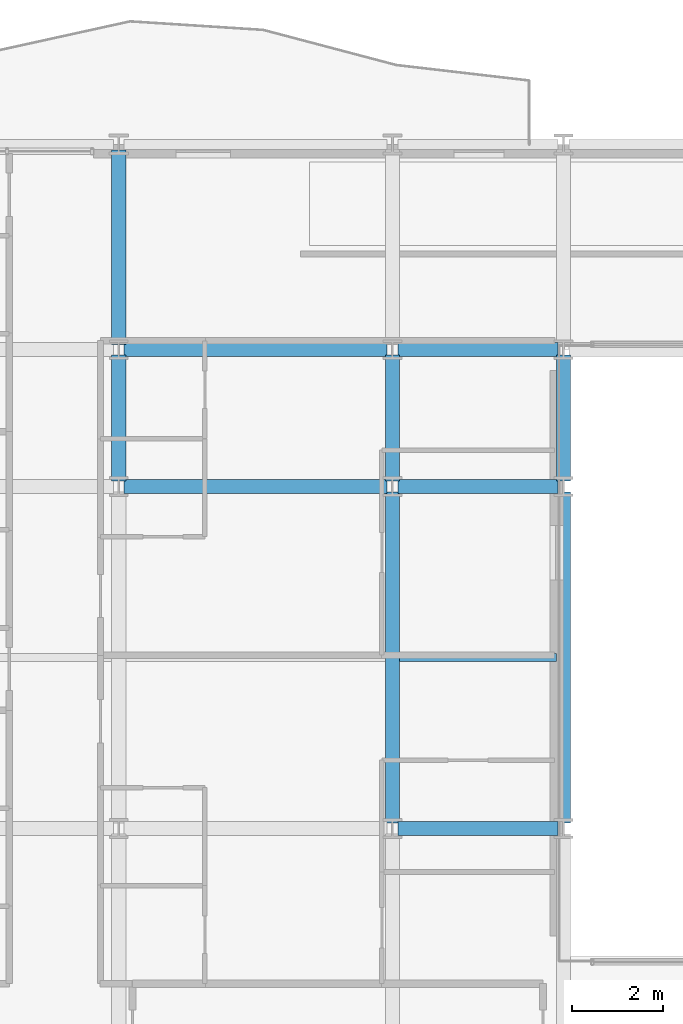
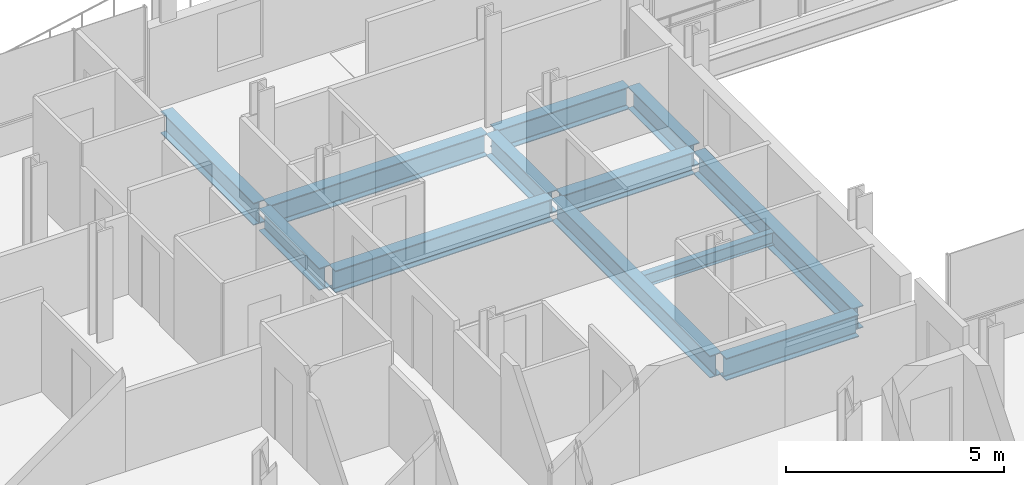
# One storey, part 8 of 41: 12 beams.
"""IFC4 building model written with IfcOpenShell, lengths in metres."""

from ifc_helpers import new_model, si_unit, direction, frame, origin, origin_2d, place, context, subcontext, project, spatial, i_section, extrude, material, material_profile, profile_set, type_object, element, save


model = new_model("IFC4")

# Units and contexts
model_context = context("Model", 3, precision=1e-05, world=origin(), true_north=direction((0.0, 1.0)))
body_context = subcontext(model_context, "Body", "Model", "MODEL_VIEW")
ifc_project = project(units=[si_unit("LENGTHUNIT", "METRE"), si_unit("AREAUNIT", "SQUARE_METRE"), si_unit("VOLUMEUNIT", "CUBIC_METRE"), si_unit("PLANEANGLEUNIT", "RADIAN"), si_unit("MASSUNIT", "GRAM", prefix="KILO")], contexts=[model_context])

# Site, building, storey
site_placement = place(None, origin())
site = spatial("IfcSite", under=ifc_project, at=site_placement, CompositionType="ELEMENT")
building_placement = place(site_placement, origin())
building = spatial("IfcBuilding", under=site, at=building_placement, Name="Brevholm Reach", CompositionType="ELEMENT")
storey_placement = place(building_placement, frame((0.0, 0.0, 86.89990234375)))
storey = spatial("IfcBuildingStorey", under=building, at=storey_placement, Name="L25", CompositionType="ELEMENT", Elevation=86.89990234375)

# Beams
ifc_material_1 = material(Name="Structural Steel S355J2", Category="steel")
ifc_material_profile_1 = material_profile(ifc_material_1, i_section(OverallWidth=0.17138671875, OverallDepth=0.35498046875, WebThickness=0.00732421875, FlangeThickness=0.011474609375, FilletRadius=0.01025390625, at=origin_2d()), Name="UKB 356x171x51")
ifc_profile_set_1 = profile_set([ifc_material_profile_1], Name="Structural Steel S355J2")
beam_type_1 = type_object("IfcBeamType", Name="BM-B356", PredefinedType="BEAM", material=ifc_profile_set_1)
beam_1_placement = place(storey_placement, frame((18.153564453125, 19.75, -0.407470703125), z_axis=(1.0, 0.0, 0.0), x_axis=(0.0, 1.0, 0.0)))
element("IfcBeam", 1, at=beam_1_placement, inside=storey, type_object=beam_type_1, Name="L25 Composite Secondary Floor Beam", PredefinedType="BEAM", context=body_context, shape_type="SweptSolid", body=[
    extrude(i_section(OverallWidth=0.17138671875, OverallDepth=0.35498046875, WebThickness=0.00732421875, FlangeThickness=0.011474609375, FilletRadius=0.01025390625, at=origin_2d()), origin(), (0.0, 0.0, 1.0), 3.44287109375),
])
ifc_material_2 = material(Name="Structural Steel S355J2", Category="steel")
ifc_material_profile_2 = material_profile(ifc_material_2, i_section(OverallWidth=0.30712890625, OverallDepth=0.6201171875, WebThickness=0.01416015625, FlangeThickness=0.023681640625, FilletRadius=0.0166015625, at=origin_2d()), Name="UKB 610x305x179")
ifc_profile_set_2 = profile_set([ifc_material_profile_2], Name="Structural Steel S355J2")
beam_type_2 = type_object("IfcBeamType", Name="BM-UKB610H", PredefinedType="USERDEFINED", material=ifc_profile_set_2)
beam_2_placement = place(storey_placement, frame((18.1201171875, 16.0, -0.5400390625), z_axis=(1.0, 0.0, 0.0), x_axis=(0.0, 1.0, 0.0)))
element("IfcBeam", 2, at=beam_2_placement, inside=storey, type_object=beam_type_2, Name="L25 G-06 Framing Beam", ObjectType="GIRDER", PredefinedType="USERDEFINED", context=body_context, shape_type="SweptSolid", body=[
    extrude(i_section(OverallWidth=0.30712890625, OverallDepth=0.6201171875, WebThickness=0.01416015625, FlangeThickness=0.023681640625, FilletRadius=0.0166015625, at=origin_2d()), origin(), (0.0, 0.0, 1.0), 3.509765625),
])
beam_3_placement = place(storey_placement, frame((12.1201171875, 23.5, -0.5400390625), z_axis=(1.0, 0.0, 0.0), x_axis=(0.0, 1.0, 0.0)))
element("IfcBeam", 3, at=beam_3_placement, inside=storey, type_object=beam_type_2, Name="L25 G-06 Framing Beam", ObjectType="GIRDER", PredefinedType="USERDEFINED", context=body_context, shape_type="SweptSolid", body=[
    extrude(i_section(OverallWidth=0.30712890625, OverallDepth=0.6201171875, WebThickness=0.01416015625, FlangeThickness=0.023681640625, FilletRadius=0.0166015625, at=origin_2d()), origin(), (0.0, 0.0, 1.0), 5.759765625),
])
beam_4_placement = place(storey_placement, frame((18.1201171875, 23.5, -0.5400390625), z_axis=(1.0, 0.0, 0.0), x_axis=(0.0, 1.0, 0.0)))
element("IfcBeam", 4, at=beam_4_placement, inside=storey, type_object=beam_type_2, Name="L25 G-06 Framing Beam", ObjectType="GIRDER", PredefinedType="USERDEFINED", context=body_context, shape_type="SweptSolid", body=[
    extrude(i_section(OverallWidth=0.30712890625, OverallDepth=0.6201171875, WebThickness=0.01416015625, FlangeThickness=0.023681640625, FilletRadius=0.0166015625, at=origin_2d()), origin(), (0.0, 0.0, 1.0), 3.509765625),
])
beam_5_placement = place(storey_placement, frame((12.1201171875, 26.5, -0.5400390625), z_axis=(1.0, 0.0, 0.0), x_axis=(0.0, 1.0, 0.0)))
element("IfcBeam", 5, at=beam_5_placement, inside=storey, type_object=beam_type_2, Name="L25 G-06 Framing Beam", ObjectType="GIRDER", PredefinedType="USERDEFINED", context=body_context, shape_type="SweptSolid", body=[
    extrude(i_section(OverallWidth=0.30712890625, OverallDepth=0.6201171875, WebThickness=0.01416015625, FlangeThickness=0.023681640625, FilletRadius=0.0166015625, at=origin_2d()), origin(), (0.0, 0.0, 1.0), 5.759765625),
])
beam_6_placement = place(storey_placement, frame((18.1201171875, 26.5, -0.5400390625), z_axis=(1.0, 0.0, 0.0), x_axis=(0.0, 1.0, 0.0)))
element("IfcBeam", 6, at=beam_6_placement, inside=storey, type_object=beam_type_2, Name="L25 G-06 Framing Beam", ObjectType="GIRDER", PredefinedType="USERDEFINED", context=body_context, shape_type="SweptSolid", body=[
    extrude(i_section(OverallWidth=0.30712890625, OverallDepth=0.6201171875, WebThickness=0.01416015625, FlangeThickness=0.023681640625, FilletRadius=0.0166015625, at=origin_2d()), origin(), (0.0, 0.0, 1.0), 3.509765625),
])
beam_7_placement = place(storey_placement, frame((12.0, 23.6201171875, -0.5400390625), z_axis=(0.0, 1.0, 0.0), x_axis=(-1.0, 0.0, 0.0)))
element("IfcBeam", 7, at=beam_7_placement, inside=storey, type_object=beam_type_2, Name="L25 G-06 Framing Beam", ObjectType="GIRDER", PredefinedType="USERDEFINED", context=body_context, shape_type="SweptSolid", body=[
    extrude(i_section(OverallWidth=0.30712890625, OverallDepth=0.6201171875, WebThickness=0.01416015625, FlangeThickness=0.023681640625, FilletRadius=0.0166015625, at=origin_2d()), origin(), (0.0, 0.0, 1.0), 2.759765625),
])
beam_8_placement = place(storey_placement, frame((12.0, 26.6201171875, -0.5400390625), z_axis=(0.0, 1.0, 0.0), x_axis=(-1.0, 0.0, 0.0)))
element("IfcBeam", 8, at=beam_8_placement, inside=storey, type_object=beam_type_2, Name="L25 G-06 Framing Beam", ObjectType="GIRDER", PredefinedType="USERDEFINED", context=body_context, shape_type="SweptSolid", body=[
    extrude(i_section(OverallWidth=0.30712890625, OverallDepth=0.6201171875, WebThickness=0.01416015625, FlangeThickness=0.023681640625, FilletRadius=0.0166015625, at=origin_2d()), origin(), (0.0, 0.0, 1.0), 4.259765625),
])
beam_9_placement = place(storey_placement, frame((18.0, 16.1201171875, -0.5400390625), z_axis=(0.0, 1.0, 0.0), x_axis=(-1.0, 0.0, 0.0)))
element("IfcBeam", 9, at=beam_9_placement, inside=storey, type_object=beam_type_2, Name="L25 G-06 Framing Beam", ObjectType="GIRDER", PredefinedType="USERDEFINED", context=body_context, shape_type="SweptSolid", body=[
    extrude(i_section(OverallWidth=0.30712890625, OverallDepth=0.6201171875, WebThickness=0.01416015625, FlangeThickness=0.023681640625, FilletRadius=0.0166015625, at=origin_2d()), origin(), (0.0, 0.0, 1.0), 7.259765625),
])
beam_10_placement = place(storey_placement, frame((18.0, 23.6201171875, -0.5400390625), z_axis=(0.0, 1.0, 0.0), x_axis=(-1.0, 0.0, 0.0)))
element("IfcBeam", 10, at=beam_10_placement, inside=storey, type_object=beam_type_2, Name="L25 G-06 Framing Beam", ObjectType="GIRDER", PredefinedType="USERDEFINED", context=body_context, shape_type="SweptSolid", body=[
    extrude(i_section(OverallWidth=0.30712890625, OverallDepth=0.6201171875, WebThickness=0.01416015625, FlangeThickness=0.023681640625, FilletRadius=0.0166015625, at=origin_2d()), origin(), (0.0, 0.0, 1.0), 2.759765625),
])
beam_11_placement = place(storey_placement, frame((21.75, 16.1201171875, -0.5400390625), z_axis=(0.0, 1.0, 0.0), x_axis=(-1.0, 0.0, 0.0)))
element("IfcBeam", 11, at=beam_11_placement, inside=storey, type_object=beam_type_2, Name="L25 G-06 Framing Beam", ObjectType="GIRDER", PredefinedType="USERDEFINED", context=body_context, shape_type="SweptSolid", body=[
    extrude(i_section(OverallWidth=0.30712890625, OverallDepth=0.6201171875, WebThickness=0.01416015625, FlangeThickness=0.023681640625, FilletRadius=0.0166015625, at=origin_2d()), origin(), (0.0, 0.0, 1.0), 7.259765625),
])
beam_12_placement = place(storey_placement, frame((21.75, 23.6201171875, -0.5400390625), z_axis=(0.0, 1.0, 0.0), x_axis=(-1.0, 0.0, 0.0)))
element("IfcBeam", 12, at=beam_12_placement, inside=storey, type_object=beam_type_2, Name="L25 G-06 Framing Beam", ObjectType="GIRDER", PredefinedType="USERDEFINED", context=body_context, shape_type="SweptSolid", body=[
    extrude(i_section(OverallWidth=0.30712890625, OverallDepth=0.6201171875, WebThickness=0.01416015625, FlangeThickness=0.023681640625, FilletRadius=0.0166015625, at=origin_2d()), origin(), (0.0, 0.0, 1.0), 2.759765625),
])

save(model, "model.ifc")
